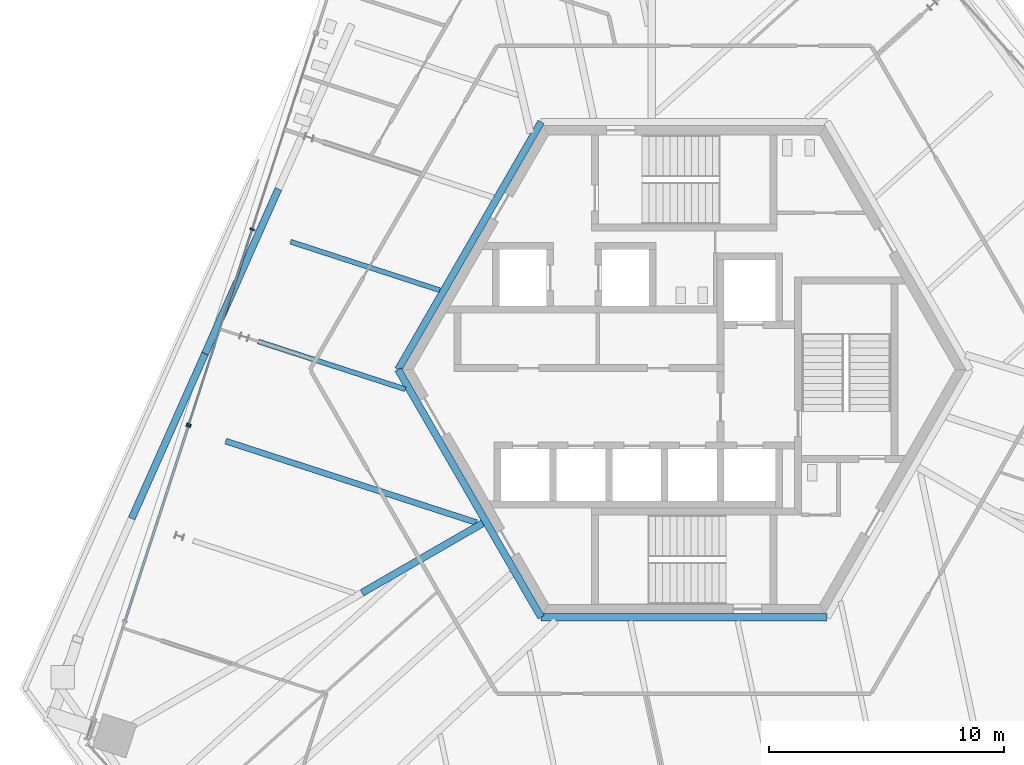
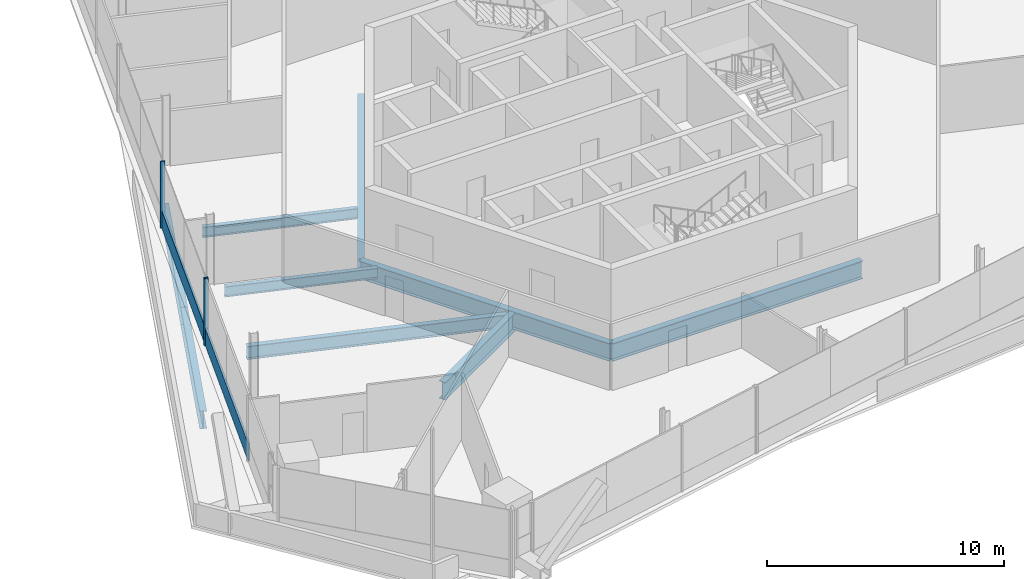
# One storey, part 5 of 20: 9 beams, 5 members, 2 elements without a shape of their own.
"""IFC4 building model written with IfcOpenShell, lengths in metres."""

from ifc_helpers import new_model, si_unit, direction, frame, origin, origin_2d, place, context, subcontext, project, spatial, rectangle, i_section, extrude, source, transform, mapped, material, material_profile, profile_set, type_object, element, aggregate, save


model = new_model("IFC4")

# Units and contexts
model_context = context("Model", 3, precision=1e-05, world=origin(), true_north=direction((0.0, 1.0)))
body_context = subcontext(model_context, "Body", "Model", "MODEL_VIEW")
ifc_project = project(units=[si_unit("LENGTHUNIT", "METRE"), si_unit("AREAUNIT", "SQUARE_METRE"), si_unit("VOLUMEUNIT", "CUBIC_METRE"), si_unit("PLANEANGLEUNIT", "RADIAN"), si_unit("MASSUNIT", "GRAM", prefix="KILO")], contexts=[model_context])

# Site, building, storey
site_placement = place(None, origin())
site = spatial("IfcSite", under=ifc_project, at=site_placement, CompositionType="ELEMENT")
building_placement = place(site_placement, origin())
building = spatial("IfcBuilding", under=site, at=building_placement, Name="Triune Harvest Tower", CompositionType="ELEMENT")
storey_placement = place(building_placement, frame((0.0, 0.0, 259.5)))
storey = spatial("IfcBuildingStorey", under=building, at=storey_placement, Name="L68", CompositionType="ELEMENT", Elevation=259.5)

# Beams
ifc_material_1 = material(Name="Steel ASTM A992 Gr 50", Category="steel")
ifc_material_profile_1 = material_profile(ifc_material_1, i_section(OverallWidth=0.3046875, OverallDepth=0.914306640625, WebThickness=0.0166015625, FlangeThickness=0.02587890625, at=origin_2d()), Name="W36x160")
ifc_profile_set_1 = profile_set([ifc_material_profile_1], Name="Steel ASTM A992 Gr 50")
beam_type_1 = type_object("IfcBeamType", Name="HG-3 Hip girder W36x160", PredefinedType="BEAM", material=ifc_profile_set_1)
beam_1_placement = place(storey_placement, frame((-13.7119140625, -9.50634765625, -0.6171875), z_axis=(0.866030661455, 0.499990893337, 0.0), x_axis=(-0.499990893337, 0.866030661455, 0.0)))
element("IfcBeam", 1, at=beam_1_placement, inside=storey, type_object=beam_type_1, Name="beam/L68/HG9", PredefinedType="BEAM", context=body_context, shape_type="SweptSolid", body=[
    extrude(i_section(OverallWidth=0.3046875, OverallDepth=0.914306640625, WebThickness=0.0166015625, FlangeThickness=0.02587890625, at=origin_2d()), origin(), (0.0, 0.0, 1.0), 5.9306640625),
])
ifc_material_2 = material(Name="Steel ASTM A992 Gr 50", Category="steel")
ifc_material_profile_2 = material_profile(ifc_material_2, i_section(OverallWidth=0.3046875, OverallDepth=0.914306640625, WebThickness=0.0166015625, FlangeThickness=0.02587890625, at=origin_2d()), Name="W36x160")
ifc_profile_set_2 = profile_set([ifc_material_profile_2], Name="Steel ASTM A992 Gr 50")
beam_type_2 = type_object("IfcBeamType", Name="CG-1 Core ring girder W36x160", PredefinedType="BEAM", material=ifc_profile_set_2)
shared_shape_1 = source(origin(), body_context, "Body", "SweptSolid", [
    extrude(i_section(OverallWidth=0.3046875, OverallDepth=0.914306640625, WebThickness=0.0166015625, FlangeThickness=0.02587890625, at=origin_2d()), origin(), (0.0, 0.0, 1.0), 12.176025390625),
])
for number, where, z_axis, x_axis, name in (
    (2, (-6.087890625, 10.544677734375, -0.6171875), (-0.5000099932, -0.866019634131, 0.0), (0.866019634131, -0.5000099932, 0.0), "beam/L68/CG3"),
    (3, (-12.176025390625, 0.0, -0.6171875), (0.5000099932, -0.866019634131, 0.0), (0.866019634131, 0.5000099932, 0.0), "beam/L68/CG4"),
):
    element("IfcBeam", number, at=place(storey_placement, frame(where, z_axis=z_axis, x_axis=x_axis)), inside=storey, type_object=beam_type_2, Name=name, PredefinedType="BEAM", context=body_context, shape_type="MappedRepresentation", body=[
        mapped(shared_shape_1, transform((0.0, 0.0, 0.0), scale=1.0)),
    ])
shared_shape_2 = source(origin(), body_context, "Body", "SweptSolid", [
    extrude(i_section(OverallWidth=0.3046875, OverallDepth=0.914306640625, WebThickness=0.0166015625, FlangeThickness=0.02587890625, at=origin_2d()), origin(), (0.0, 0.0, 1.0), 12.17578125),
])
beam_2_placement = place(storey_placement, frame((-6.087890625, -10.544677734375, -0.6171875), z_axis=(1.0, 0.0, 0.0), x_axis=(0.0, 1.0, 0.0)))
element("IfcBeam", 4, at=beam_2_placement, inside=storey, type_object=beam_type_2, Name="beam/L68/CG5", PredefinedType="BEAM", context=body_context, shape_type="MappedRepresentation", body=[
    mapped(shared_shape_2, transform((0.0, 0.0, 0.0), scale=1.0)),
])
ifc_material_3 = material(Name="Steel ASTM A992 Gr 50", Category="steel")
ifc_material_profile_3 = material_profile(ifc_material_3, i_section(OverallWidth=0.3046875, OverallDepth=0.914306640625, WebThickness=0.0166015625, FlangeThickness=0.02587890625, at=origin_2d()), Name="W36x160")
ifc_profile_set_3 = profile_set([ifc_material_profile_3], Name="Steel ASTM A992 Gr 50")
beam_type_3 = type_object("IfcBeamType", Name="SB-1 Spandrel beam W36x160", PredefinedType="SPANDREL", material=ifc_profile_set_3)
shared_shape_3 = source(origin(), body_context, "Body", "SweptSolid", [
    extrude(i_section(OverallWidth=0.3046875, OverallDepth=0.914306640625, WebThickness=0.0166015625, FlangeThickness=0.02587890625, at=origin_2d()), origin(), (0.0, 0.0, 1.0), 7.679443359375),
])
for number, where, z_axis, x_axis, name in (
    (5, (-17.273193359375, 7.690673828125, -0.6171875), (-0.406734215399, -0.91354653851, 0.0), (0.91354653851, -0.406734215399, 0.0), "beam/L68/WB10"),
    (6, (-20.396728515625, 0.675048828125, -0.6171875), (-0.406734215399, -0.91354653851, 0.0), (0.91354653851, -0.406734215399, 0.0), "beam/L68/WB11"),
):
    element("IfcBeam", number, at=place(storey_placement, frame(where, z_axis=z_axis, x_axis=x_axis)), inside=storey, type_object=beam_type_3, Name=name, PredefinedType="SPANDREL", context=body_context, shape_type="MappedRepresentation", body=[
        mapped(shared_shape_3, transform((0.0, 0.0, 0.0), scale=1.0)),
    ])
ifc_material_4 = material(Name="Steel ASTM A992 Gr 50", Category="steel")
ifc_material_profile_4 = material_profile(ifc_material_4, i_section(OverallWidth=0.2099609375, OverallDepth=0.535888671875, WebThickness=0.010986328125, FlangeThickness=0.017333984375, at=origin_2d()), Name="W21x68")
ifc_profile_set_4 = profile_set([ifc_material_profile_4], Name="Steel ASTM A992 Gr 50")
beam_type_4 = type_object("IfcBeamType", Name="JT-2 Floor joist W21x68", PredefinedType="JOIST", material=ifc_profile_set_4)
shared_shape_4 = source(origin(), body_context, "Body", "SweptSolid", [
    extrude(i_section(OverallWidth=0.2099609375, OverallDepth=0.535888671875, WebThickness=0.010986328125, FlangeThickness=0.017333984375, at=origin_2d()), origin(), (0.0, 0.0, 1.0), 6.68310546875),
])
beam_3_placement = place(storey_placement, frame((-16.7568359375, 5.444580078125, -0.427978515625), z_axis=(0.951056080098, -0.30901833685, 0.0), x_axis=(0.30901833685, 0.951056080098, 0.0)))
element("IfcBeam", 7, at=beam_3_placement, inside=storey, type_object=beam_type_4, Name="beam/L68/JT16", PredefinedType="JOIST", context=body_context, shape_type="MappedRepresentation", body=[
    mapped(shared_shape_4, transform((0.0, 0.0, 0.0), scale=1.0)),
])
shared_shape_5 = source(origin(), body_context, "Body", "SweptSolid", [
    extrude(i_section(OverallWidth=0.2099609375, OverallDepth=0.535888671875, WebThickness=0.010986328125, FlangeThickness=0.017333984375, at=origin_2d()), origin(), (0.0, 0.0, 1.0), 6.590576171875),
])
beam_4_placement = place(storey_placement, frame((-18.136474609375, 1.19921875, -0.427978515625), z_axis=(0.951056388713, -0.309017387031, 0.0), x_axis=(0.309017387031, 0.951056388713, 0.0)))
element("IfcBeam", 8, at=beam_4_placement, inside=storey, type_object=beam_type_4, Name="beam/L68/JT17", PredefinedType="JOIST", context=body_context, shape_type="MappedRepresentation", body=[
    mapped(shared_shape_5, transform((0.0, 0.0, 0.0), scale=1.0)),
])
ifc_material_5 = material(Name="Steel ASTM A992 Gr 50", Category="steel")
ifc_material_profile_5 = material_profile(ifc_material_5, i_section(OverallWidth=0.253662109375, OverallDepth=0.683349609375, WebThickness=0.012451171875, FlangeThickness=0.01904296875, at=origin_2d()), Name="W27x94")
ifc_profile_set_5 = profile_set([ifc_material_profile_5], Name="Steel ASTM A992 Gr 50")
beam_type_5 = type_object("IfcBeamType", Name="JT-4 Floor joist W27x94", PredefinedType="JOIST", material=ifc_profile_set_5)
shared_shape_6 = source(origin(), body_context, "Body", "SweptSolid", [
    extrude(i_section(OverallWidth=0.253662109375, OverallDepth=0.683349609375, WebThickness=0.012451171875, FlangeThickness=0.01904296875, at=origin_2d()), origin(), (0.0, 0.0, 1.0), 11.22802734375),
])
beam_5_placement = place(storey_placement, frame((-19.515869140625, -3.04638671875, -0.501708984375), z_axis=(0.951054360124, -0.309023630309, 0.0), x_axis=(0.309023630309, 0.951054360124, 0.0)))
element("IfcBeam", 9, at=beam_5_placement, inside=storey, type_object=beam_type_5, Name="beam/L68/JT18", PredefinedType="JOIST", context=body_context, shape_type="MappedRepresentation", body=[
    mapped(shared_shape_6, transform((0.0, 0.0, 0.0), scale=1.0)),
])

# Curtain wall, members
ifc_material_6 = material(Name="Aluminium bronze anodised", Category="aluminium")
curtain_wall_type_1 = type_object("IfcCurtainWallType", Name="CW-1 Tower stick curtain wall", PredefinedType="NOTDEFINED", material=ifc_material_6)
curtain_wall_1_placement = place(storey_placement, origin())
curtain_wall_1 = element("IfcCurtainWall", 10, at=curtain_wall_1_placement, inside=storey, type_object=curtain_wall_type_1, Name="CW-1 B7-F3 L68 run 1101")
ifc_material_7 = material(Name="Aluminium bronze anodised", Category="aluminium")
ifc_material_profile_6 = material_profile(ifc_material_7, rectangle(XDim=0.199951171875, YDim=0.074951171875, at=origin_2d()), Name="MU-1 mullion 75 x 200")
ifc_profile_set_6 = profile_set([ifc_material_profile_6], Name="Aluminium bronze anodised")
member_type_1 = type_object("IfcMemberType", Name="MU-1 mullion 75 x 200", PredefinedType="MULLION", material=ifc_profile_set_6)
shared_shape_7 = source(origin(), body_context, "Body", "SweptSolid", [
    extrude(rectangle(XDim=0.199951171875, YDim=0.074951171875, at=origin_2d()), origin(), (0.0, 0.0, 1.0), 3.43994140625),
])
member_1_placement = place(storey_placement, frame((-18.3837890625, 5.973388671875, 0.0), z_axis=(0.0, 0.0, 1.0), x_axis=(0.951057350241, -0.309014427743, 0.0)))
member_1 = element("IfcMember", 11, at=member_1_placement, type_object=member_type_1, Name="CW-1 mullion B7-F3 1101.3", PredefinedType="MULLION", context=body_context, shape_type="MappedRepresentation", body=[
    mapped(shared_shape_7, transform((0.0, 0.0, 0.0), scale=1.0)),
])
member_2_placement = place(storey_placement, frame((-21.08349609375, -2.335693359375, 0.0), z_axis=(0.0, 0.0, 1.0), x_axis=(0.951057350241, -0.309014427743, 0.0)))
member_2 = element("IfcMember", 12, at=member_2_placement, type_object=member_type_1, Name="CW-1 mullion B7-F3 1101.5", PredefinedType="MULLION", context=body_context, shape_type="MappedRepresentation", body=[
    mapped(shared_shape_7, transform((0.0, 0.0, 0.0), scale=1.0)),
])

# Curtain wall, member
ifc_material_8 = material(Name="Aluminium bronze anodised", Category="aluminium")
curtain_wall_type_2 = type_object("IfcCurtainWallType", Name="CW-7 Tower stick curtain wall with insulated spandrel infill", PredefinedType="NOTDEFINED", material=ifc_material_8)
curtain_wall_2_placement = place(storey_placement, origin())
curtain_wall_2 = element("IfcCurtainWall", 13, at=curtain_wall_2_placement, inside=storey, type_object=curtain_wall_type_2, Name="CW-7 B7-F3 L68 run 2101")
member_3_placement = place(storey_placement, frame((-21.106689453125, -2.406982421875, 0.0), z_axis=(0.0, 0.0, 1.0), x_axis=(0.951057741212, -0.309013224442, 0.0)))
member_3 = element("IfcMember", 14, at=member_3_placement, type_object=member_type_1, Name="CW-7 mullion B7-F3 2101.1", PredefinedType="MULLION", context=body_context, shape_type="MappedRepresentation", body=[
    mapped(shared_shape_7, transform((0.0, 0.0, 0.0), scale=1.0)),
])

# Member
ifc_material_9 = material(Name="Aluminium bronze anodised", Category="aluminium")
ifc_material_profile_7 = material_profile(ifc_material_9, rectangle(XDim=0.090087890625, YDim=0.89990234375, at=origin_2d()), Name="TR-1 transom 90 x 900")
ifc_profile_set_7 = profile_set([ifc_material_profile_7], Name="Aluminium bronze anodised")
member_type_2 = type_object("IfcMemberType", Name="TR-1 transom 90 x 900", PredefinedType="USERDEFINED", material=ifc_profile_set_7)
shared_shape_8 = source(origin(), body_context, "Body", "SweptSolid", [
    extrude(rectangle(XDim=0.090087890625, YDim=0.89990234375, at=origin_2d()), origin(), (0.0, 0.0, 1.0), 8.66162109375),
])
member_4_placement = place(storey_placement, frame((-18.3955078125, 5.937744140625, 0.449951171875), z_axis=(-0.309005766737, -0.951060164303, 0.0), x_axis=(0.951060164303, -0.309005766737, 0.0)))
member_4 = element("IfcMember", 15, at=member_4_placement, type_object=member_type_2, Name="CW-1 transom B7-F3 1101.2", ObjectType="TRANSOM", PredefinedType="USERDEFINED", context=body_context, shape_type="MappedRepresentation", body=[
    mapped(shared_shape_8, transform((0.0, 0.0, 0.0), scale=1.0)),
])

aggregate(curtain_wall_1, [member_1, member_2, member_4])

shared_shape_9 = source(origin(), body_context, "Body", "SweptSolid", [
    extrude(rectangle(XDim=0.090087890625, YDim=0.89990234375, at=origin_2d()), origin(), (0.0, 0.0, 1.0), 8.661376953125),
])
member_5_placement = place(storey_placement, frame((-21.118408203125, -2.442626953125, 0.449951171875), z_axis=(-0.309014050407, -0.951057472843, 0.0), x_axis=(0.951057472843, -0.309014050407, 0.0)))
member_5 = element("IfcMember", 16, at=member_5_placement, type_object=member_type_2, Name="CW-7 transom B7-F3 2101.1", ObjectType="TRANSOM", PredefinedType="USERDEFINED", context=body_context, shape_type="MappedRepresentation", body=[
    mapped(shared_shape_9, transform((0.0, 0.0, 0.0), scale=1.0)),
])

aggregate(curtain_wall_2, [member_3, member_5])

save(model, "model.ifc")
